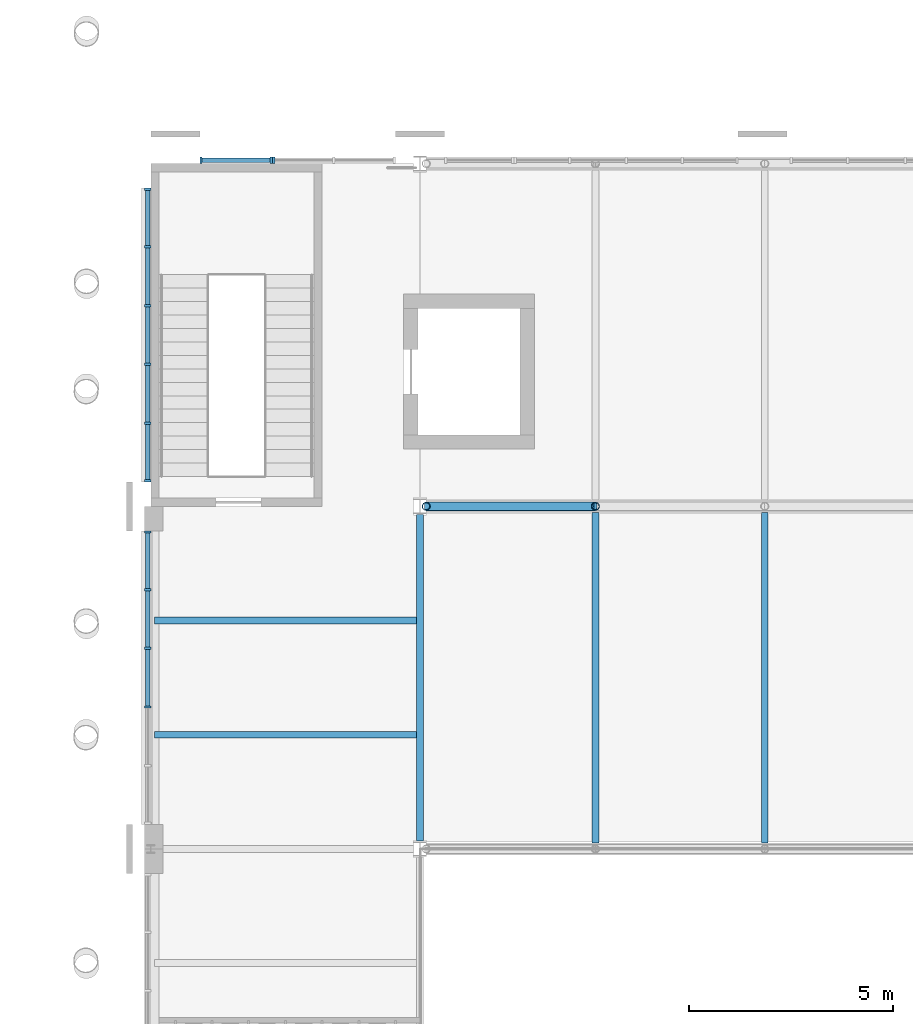
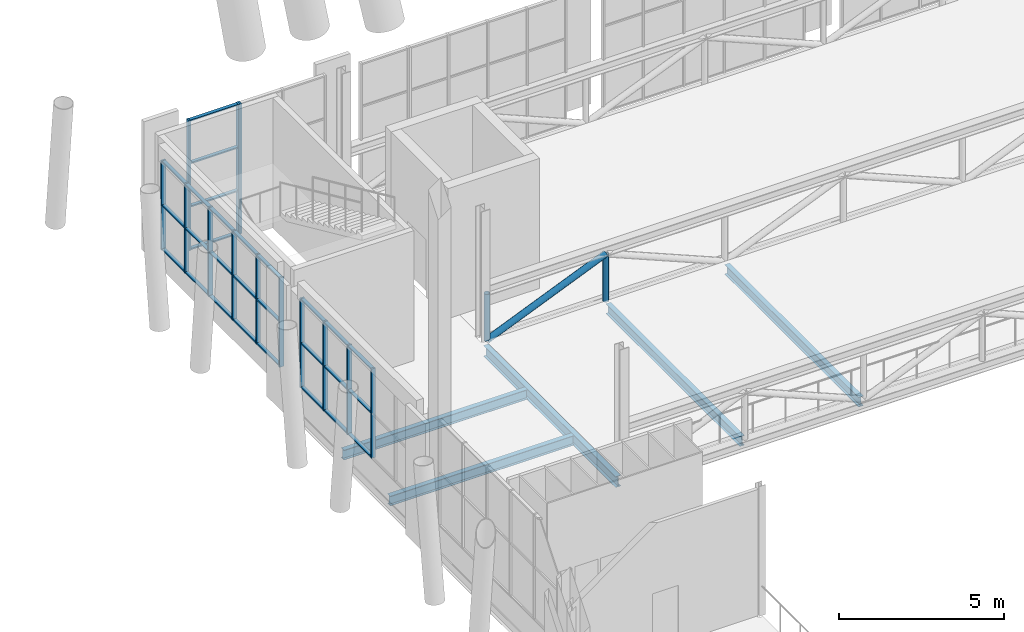
# One storey, part 31 of 76: 44 members, 5 beams, 4 elements without a shape of their own.
"""IFC4 building model written with IfcOpenShell, lengths in metres."""

from ifc_helpers import new_model, si_unit, direction, frame, origin, origin_2d, place, context, subcontext, project, spatial, rectangle, hollow_circle, i_section, extrude, material, material_profile, profile_set, type_object, element, aggregate, save


model = new_model("IFC4")

# Units and contexts
model_context = context("Model", 3, precision=1e-05, world=origin(), true_north=direction((0.0, 1.0)))
body_context = subcontext(model_context, "Body", "Model", "MODEL_VIEW")
ifc_project = project(units=[si_unit("LENGTHUNIT", "METRE"), si_unit("AREAUNIT", "SQUARE_METRE"), si_unit("VOLUMEUNIT", "CUBIC_METRE"), si_unit("PLANEANGLEUNIT", "RADIAN"), si_unit("MASSUNIT", "GRAM", prefix="KILO")], contexts=[model_context])

# Site, building, storey
site_placement = place(None, origin())
site = spatial("IfcSite", under=ifc_project, at=site_placement, CompositionType="ELEMENT")
building_placement = place(site_placement, origin())
building = spatial("IfcBuilding", under=site, at=building_placement, Name="Sava Quay Ferry Terminal", CompositionType="ELEMENT")
storey_placement = place(building_placement, frame((0.0, 0.0, 6.0)))
storey = spatial("IfcBuildingStorey", under=building, at=storey_placement, Name="L01", CompositionType="ELEMENT", Elevation=6.0)

# Beams
ifc_material_1 = material(Name="Steel S355", Category="steel")
ifc_material_profile_1 = material_profile(ifc_material_1, i_section(OverallWidth=0.169921875, OverallDepth=0.360107421875, WebThickness=0.008056640625, FlangeThickness=0.0126953125, at=origin_2d()), Name="IPE 360")
ifc_profile_set_1 = profile_set([ifc_material_profile_1], Name="Steel S355")
beam_type_1 = type_object("IfcBeamType", Name="Beam IPE 360", PredefinedType="BEAM", material=ifc_profile_set_1)
for number, where, z_axis, x_axis, name in (
    (1, (43.889892578125, 86.800048828125, -0.31005859375), (1.0, 0.0, 0.0), (0.0, 1.0, 0.0), "Secondary beam L01"),
    (2, (43.889892578125, 89.60009765625, -0.31005859375), (1.0, 0.0, 0.0), (0.0, 1.0, 0.0), "Secondary beam L01"),
):
    element("IfcBeam", number, at=place(storey_placement, frame(where, z_axis=z_axis, x_axis=x_axis)), inside=storey, type_object=beam_type_1, Name=name, PredefinedType="BEAM", context=body_context, shape_type="SweptSolid", body=[
        extrude(i_section(OverallWidth=0.169921875, OverallDepth=0.360107421875, WebThickness=0.008056640625, FlangeThickness=0.0126953125, at=origin_2d()), origin(), (0.0, 0.0, 1.0), 6.420166015625),
    ])
for number, where, z_axis, x_axis, name in (
    (3, (54.699951171875, 84.14990234375, -0.31005859375), (0.0, 1.0, 0.0), (-1.0, 0.0, 0.0), "Truss floor beam"),
    (4, (58.85009765625, 84.14990234375, -0.31005859375), (0.0, 1.0, 0.0), (-1.0, 0.0, 0.0), "Truss floor beam"),
):
    element("IfcBeam", number, at=place(storey_placement, frame(where, z_axis=z_axis, x_axis=x_axis)), inside=storey, type_object=beam_type_1, Name=name, PredefinedType="BEAM", context=body_context, shape_type="SweptSolid", body=[
        extrude(i_section(OverallWidth=0.169921875, OverallDepth=0.360107421875, WebThickness=0.008056640625, FlangeThickness=0.0126953125, at=origin_2d()), origin(), (0.0, 0.0, 1.0), 8.10009765625),
    ])
ifc_material_2 = material(Name="Steel S355", Category="steel")
ifc_material_profile_2 = material_profile(ifc_material_2, i_section(OverallWidth=0.179931640625, OverallDepth=0.39990234375, WebThickness=0.008544921875, FlangeThickness=0.013427734375, at=origin_2d()), Name="IPE 400")
ifc_profile_set_2 = profile_set([ifc_material_profile_2], Name="Steel S355")
beam_type_2 = type_object("IfcBeamType", Name="Beam IPE 400", PredefinedType="BEAM", material=ifc_profile_set_2)
beam_placement = place(storey_placement, frame((50.39990234375, 84.199951171875, -0.330078125), z_axis=(0.0, 1.0, 0.0), x_axis=(-1.0, 0.0, 0.0)))
element("IfcBeam", 5, at=beam_placement, inside=storey, type_object=beam_type_2, Name="Girder L01", PredefinedType="BEAM", context=body_context, shape_type="SweptSolid", body=[
    extrude(i_section(OverallWidth=0.179931640625, OverallDepth=0.39990234375, WebThickness=0.008544921875, FlangeThickness=0.013427734375, at=origin_2d()), origin(), (0.0, 0.0, 1.0), 8.0),
])

# Members
ifc_material_3 = material(Name="Steel S355", Category="steel")
ifc_material_profile_3 = material_profile(ifc_material_3, hollow_circle(Radius=0.096923828125, WallThickness=0.008056640625, at=origin_2d()), Name="CHS 193.7 x 8")
ifc_profile_set_3 = profile_set([ifc_material_profile_3], Name="Steel S355")
member_type_1 = type_object("IfcMemberType", Name="Brace CHS 193.7 x 8", PredefinedType="BRACE", material=ifc_profile_set_3)
for number, where, z_axis, x_axis, name in (
    (6, (50.550048828125, 92.39990234375, -0.1298828125), (0.0, 0.0, 1.0), (1.0, 0.0, 0.0), "Truss post 92.4"),
    (7, (54.699951171875, 92.39990234375, -0.1298828125), (0.0, 0.0, 1.0), (1.0, 0.0, 0.0), "Truss post 92.4"),
):
    element("IfcMember", number, at=place(storey_placement, frame(where, z_axis=z_axis, x_axis=x_axis)), inside=storey, type_object=member_type_1, Name=name, PredefinedType="BRACE", context=body_context, shape_type="SweptSolid", body=[
        extrude(hollow_circle(Radius=0.096923828125, WallThickness=0.008056640625, at=origin_2d()), origin(), (0.0, 0.0, 1.0), 1.739990234375),
    ])
ifc_material_4 = material(Name="Steel S355", Category="steel")
ifc_material_profile_4 = material_profile(ifc_material_4, hollow_circle(Radius=0.109619140625, WallThickness=0.010009765625, at=origin_2d()), Name="CHS 219.1 x 10")
ifc_profile_set_4 = profile_set([ifc_material_profile_4], Name="Steel S355")
member_type_2 = type_object("IfcMemberType", Name="Brace CHS 219.1 x 10", PredefinedType="BRACE", material=ifc_profile_set_4)
member_1_placement = place(storey_placement, frame((50.550048828125, 92.39990234375, -0.1298828125), z_axis=(0.922217474343, 0.0, 0.386671604874), x_axis=(0.0, 1.0, 0.0)))
element("IfcMember", 8, at=member_1_placement, inside=storey, type_object=member_type_2, Name="Truss diagonal 92.4", PredefinedType="BRACE", context=body_context, shape_type="SweptSolid", body=[
    extrude(hollow_circle(Radius=0.109619140625, WallThickness=0.010009765625, at=origin_2d()), origin(), (0.0, 0.0, 1.0), 4.5),
])

# Curtain wall, members
ifc_material_5 = material(Name="Aluminium and glass curtain wall, double low-e glazed", Category="aluminium")
curtain_wall_type_1 = type_object("IfcCurtainWallType", Name="Curtain wall CW-G gable", PredefinedType="NOTDEFINED", material=ifc_material_5)
curtain_wall_1_placement = place(storey_placement, origin())
curtain_wall_1 = element("IfcCurtainWall", 9, at=curtain_wall_1_placement, inside=storey, type_object=curtain_wall_type_1, Name="Curtain wall D-N L01 bay 1", PredefinedType="NOTDEFINED")
ifc_material_6 = material(Name="Aluminium EN AW-6063 T6", Category="aluminium")
ifc_material_profile_5 = material_profile(ifc_material_6, rectangle(XDim=0.14990234375, YDim=0.06005859375, at=origin_2d()), Name="Mullion 60x150 aluminium")
ifc_profile_set_5 = profile_set([ifc_material_profile_5], Name="Aluminium EN AW-6063 T6")
member_type_3 = type_object("IfcMemberType", Name="Mullion 60x150 aluminium", PredefinedType="MULLION", material=ifc_profile_set_5)
member_2_placement = place(storey_placement, frame((45.030029296875, 100.885009765625, 0.0), z_axis=(0.0, 0.0, 1.0), x_axis=(0.0, 1.0, 0.0)))
member_2 = element("IfcMember", 10, at=member_2_placement, type_object=member_type_3, Name="CW55 mullion 1", PredefinedType="MULLION", context=body_context, shape_type="SweptSolid", body=[
    extrude(rectangle(XDim=0.14990234375, YDim=0.06005859375, at=origin_2d()), origin(), (0.0, 0.0, 1.0), 4.800048828125),
])
member_3_placement = place(storey_placement, frame((46.75, 100.885009765625, 0.0), z_axis=(0.0, 0.0, 1.0), x_axis=(0.0, 1.0, 0.0)))
member_3 = element("IfcMember", 11, at=member_3_placement, type_object=member_type_3, Name="CW55 mullion 2", PredefinedType="MULLION", context=body_context, shape_type="SweptSolid", body=[
    extrude(rectangle(XDim=0.14990234375, YDim=0.06005859375, at=origin_2d()), origin(), (0.0, 0.0, 1.0), 4.800048828125),
])

# Curtain wall, member
curtain_wall_2_placement = place(storey_placement, origin())
curtain_wall_2 = element("IfcCurtainWall", 12, at=curtain_wall_2_placement, inside=storey, type_object=curtain_wall_type_1, Name="Curtain wall D-N L01 bay 11", PredefinedType="NOTDEFINED")
member_4_placement = place(storey_placement, frame((46.81005859375, 100.885009765625, 0.0), z_axis=(0.0, 0.0, 1.0), x_axis=(0.0, 1.0, 0.0)))
member_4 = element("IfcMember", 13, at=member_4_placement, type_object=member_type_3, Name="CW58 mullion 1", PredefinedType="MULLION", context=body_context, shape_type="SweptSolid", body=[
    extrude(rectangle(XDim=0.14990234375, YDim=0.06005859375, at=origin_2d()), origin(), (0.0, 0.0, 1.0), 4.800048828125),
])
aggregate(curtain_wall_2, [member_4])

# Curtain wall, members
ifc_material_7 = material(Name="Aluminium and glass curtain wall, double low-e glazed", Category="aluminium")
curtain_wall_type_2 = type_object("IfcCurtainWallType", Name="Curtain wall CW-F flank", PredefinedType="NOTDEFINED", material=ifc_material_7)
curtain_wall_3_placement = place(storey_placement, origin())
curtain_wall_3 = element("IfcCurtainWall", 14, at=curtain_wall_3_placement, inside=storey, type_object=curtain_wall_type_2, Name="Curtain wall D-W L01 bay 5", PredefinedType="NOTDEFINED")
member_5_placement = place(storey_placement, frame((43.72509765625, 87.47998046875, 0.89990234375), z_axis=(0.0, 0.0, 1.0), x_axis=(-1.0, 0.0, 0.0)))
member_5 = element("IfcMember", 15, at=member_5_placement, type_object=member_type_3, Name="CW111 mullion 3", PredefinedType="MULLION", context=body_context, shape_type="SweptSolid", body=[
    extrude(rectangle(XDim=0.14990234375, YDim=0.06005859375, at=origin_2d()), origin(), (0.0, 0.0, 1.0), 3.300048828125),
])
member_6_placement = place(storey_placement, frame((43.72509765625, 88.919921875, 0.89990234375), z_axis=(0.0, 0.0, 1.0), x_axis=(-1.0, 0.0, 0.0)))
member_6 = element("IfcMember", 16, at=member_6_placement, type_object=member_type_3, Name="CW111 mullion 4", PredefinedType="MULLION", context=body_context, shape_type="SweptSolid", body=[
    extrude(rectangle(XDim=0.14990234375, YDim=0.06005859375, at=origin_2d()), origin(), (0.0, 0.0, 1.0), 3.300048828125),
])
member_7_placement = place(storey_placement, frame((43.72509765625, 90.360107421875, 0.89990234375), z_axis=(0.0, 0.0, 1.0), x_axis=(-1.0, 0.0, 0.0)))
member_7 = element("IfcMember", 17, at=member_7_placement, type_object=member_type_3, Name="CW111 mullion 5", PredefinedType="MULLION", context=body_context, shape_type="SweptSolid", body=[
    extrude(rectangle(XDim=0.14990234375, YDim=0.06005859375, at=origin_2d()), origin(), (0.0, 0.0, 1.0), 3.300048828125),
])
member_8_placement = place(storey_placement, frame((43.72509765625, 91.77001953125, 0.89990234375), z_axis=(0.0, 0.0, 1.0), x_axis=(-1.0, 0.0, 0.0)))
member_8 = element("IfcMember", 18, at=member_8_placement, type_object=member_type_3, Name="CW111 mullion 6", PredefinedType="MULLION", context=body_context, shape_type="SweptSolid", body=[
    extrude(rectangle(XDim=0.14990234375, YDim=0.06005859375, at=origin_2d()), origin(), (0.0, 0.0, 1.0), 3.300048828125),
])

curtain_wall_4_placement = place(storey_placement, origin())
curtain_wall_4 = element("IfcCurtainWall", 19, at=curtain_wall_4_placement, inside=storey, type_object=curtain_wall_type_2, Name="Curtain wall D-W L01 bay 6", PredefinedType="NOTDEFINED")
member_9_placement = place(storey_placement, frame((43.72509765625, 93.030029296875, 0.89990234375), z_axis=(0.0, 0.0, 1.0), x_axis=(-1.0, 0.0, 0.0)))
member_9 = element("IfcMember", 20, at=member_9_placement, type_object=member_type_3, Name="CW112 mullion 1", PredefinedType="MULLION", context=body_context, shape_type="SweptSolid", body=[
    extrude(rectangle(XDim=0.14990234375, YDim=0.06005859375, at=origin_2d()), origin(), (0.0, 0.0, 1.0), 3.300048828125),
])
member_10_placement = place(storey_placement, frame((43.72509765625, 94.43994140625, 0.89990234375), z_axis=(0.0, 0.0, 1.0), x_axis=(-1.0, 0.0, 0.0)))
member_10 = element("IfcMember", 21, at=member_10_placement, type_object=member_type_3, Name="CW112 mullion 2", PredefinedType="MULLION", context=body_context, shape_type="SweptSolid", body=[
    extrude(rectangle(XDim=0.14990234375, YDim=0.06005859375, at=origin_2d()), origin(), (0.0, 0.0, 1.0), 3.300048828125),
])
member_11_placement = place(storey_placement, frame((43.72509765625, 95.8798828125, 0.89990234375), z_axis=(0.0, 0.0, 1.0), x_axis=(-1.0, 0.0, 0.0)))
member_11 = element("IfcMember", 22, at=member_11_placement, type_object=member_type_3, Name="CW112 mullion 3", PredefinedType="MULLION", context=body_context, shape_type="SweptSolid", body=[
    extrude(rectangle(XDim=0.14990234375, YDim=0.06005859375, at=origin_2d()), origin(), (0.0, 0.0, 1.0), 3.300048828125),
])
member_12_placement = place(storey_placement, frame((43.72509765625, 97.320068359375, 0.89990234375), z_axis=(0.0, 0.0, 1.0), x_axis=(-1.0, 0.0, 0.0)))
member_12 = element("IfcMember", 23, at=member_12_placement, type_object=member_type_3, Name="CW112 mullion 4", PredefinedType="MULLION", context=body_context, shape_type="SweptSolid", body=[
    extrude(rectangle(XDim=0.14990234375, YDim=0.06005859375, at=origin_2d()), origin(), (0.0, 0.0, 1.0), 3.300048828125),
])
member_13_placement = place(storey_placement, frame((43.72509765625, 98.760009765625, 0.89990234375), z_axis=(0.0, 0.0, 1.0), x_axis=(-1.0, 0.0, 0.0)))
member_13 = element("IfcMember", 24, at=member_13_placement, type_object=member_type_3, Name="CW112 mullion 5", PredefinedType="MULLION", context=body_context, shape_type="SweptSolid", body=[
    extrude(rectangle(XDim=0.14990234375, YDim=0.06005859375, at=origin_2d()), origin(), (0.0, 0.0, 1.0), 3.300048828125),
])
member_14_placement = place(storey_placement, frame((43.72509765625, 100.169921875, 0.89990234375), z_axis=(0.0, 0.0, 1.0), x_axis=(-1.0, 0.0, 0.0)))
member_14 = element("IfcMember", 25, at=member_14_placement, type_object=member_type_3, Name="CW112 mullion 6", PredefinedType="MULLION", context=body_context, shape_type="SweptSolid", body=[
    extrude(rectangle(XDim=0.14990234375, YDim=0.06005859375, at=origin_2d()), origin(), (0.0, 0.0, 1.0), 3.300048828125),
])

# Member
ifc_material_8 = material(Name="Aluminium EN AW-6063 T6", Category="aluminium")
ifc_material_profile_6 = material_profile(ifc_material_8, rectangle(XDim=0.1201171875, YDim=0.050048828125, at=origin_2d()), Name="Transom 50x120 aluminium")
ifc_profile_set_6 = profile_set([ifc_material_profile_6], Name="Aluminium EN AW-6063 T6")
member_type_4 = type_object("IfcMemberType", Name="Transom 50x120 aluminium", PredefinedType="USERDEFINED", material=ifc_profile_set_6)
member_15_placement = place(storey_placement, frame((45.06005859375, 100.885009765625, 0.02490234375), z_axis=(1.0, 0.0, 0.0), x_axis=(0.0, 1.0, 0.0)))
member_15 = element("IfcMember", 26, at=member_15_placement, type_object=member_type_4, Name="CW55 transom 1.1", ObjectType="TRANSOM", PredefinedType="USERDEFINED", context=body_context, shape_type="SweptSolid", body=[
    extrude(rectangle(XDim=0.1201171875, YDim=0.050048828125, at=origin_2d()), origin(), (0.0, 0.0, 1.0), 1.659912109375),
])

member_16_placement = place(storey_placement, frame((45.06005859375, 100.885009765625, 1.60009765625), z_axis=(1.0, 0.0, 0.0), x_axis=(0.0, 1.0, 0.0)))
member_16 = element("IfcMember", 27, at=member_16_placement, type_object=member_type_4, Name="CW55 transom 1.2", ObjectType="TRANSOM", PredefinedType="USERDEFINED", context=body_context, shape_type="SweptSolid", body=[
    extrude(rectangle(XDim=0.1201171875, YDim=0.050048828125, at=origin_2d()), origin(), (0.0, 0.0, 1.0), 1.659912109375),
])

member_17_placement = place(storey_placement, frame((45.06005859375, 100.885009765625, 3.199951171875), z_axis=(1.0, 0.0, 0.0), x_axis=(0.0, 1.0, 0.0)))
member_17 = element("IfcMember", 28, at=member_17_placement, type_object=member_type_4, Name="CW55 transom 1.3", ObjectType="TRANSOM", PredefinedType="USERDEFINED", context=body_context, shape_type="SweptSolid", body=[
    extrude(rectangle(XDim=0.1201171875, YDim=0.050048828125, at=origin_2d()), origin(), (0.0, 0.0, 1.0), 1.659912109375),
])

member_18_placement = place(storey_placement, frame((45.06005859375, 100.885009765625, 4.77490234375), z_axis=(1.0, 0.0, 0.0), x_axis=(0.0, 1.0, 0.0)))
member_18 = element("IfcMember", 29, at=member_18_placement, type_object=member_type_4, Name="CW55 transom 1.4", ObjectType="TRANSOM", PredefinedType="USERDEFINED", context=body_context, shape_type="SweptSolid", body=[
    extrude(rectangle(XDim=0.1201171875, YDim=0.050048828125, at=origin_2d()), origin(), (0.0, 0.0, 1.0), 1.659912109375),
])

aggregate(curtain_wall_1, [member_2, member_3, member_15, member_16, member_17, member_18])

member_19_placement = place(storey_placement, frame((43.72509765625, 87.510009765625, 0.925048828125), z_axis=(0.0, 1.0, 0.0), x_axis=(-1.0, 0.0, 0.0)))
member_19 = element("IfcMember", 30, at=member_19_placement, type_object=member_type_4, Name="CW111 transom 3.1", ObjectType="TRANSOM", PredefinedType="USERDEFINED", context=body_context, shape_type="SweptSolid", body=[
    extrude(rectangle(XDim=0.1201171875, YDim=0.050048828125, at=origin_2d()), origin(), (0.0, 0.0, 1.0), 1.3798828125),
])

member_20_placement = place(storey_placement, frame((43.72509765625, 87.510009765625, 2.550048828125), z_axis=(0.0, 1.0, 0.0), x_axis=(-1.0, 0.0, 0.0)))
member_20 = element("IfcMember", 31, at=member_20_placement, type_object=member_type_4, Name="CW111 transom 3.2", ObjectType="TRANSOM", PredefinedType="USERDEFINED", context=body_context, shape_type="SweptSolid", body=[
    extrude(rectangle(XDim=0.1201171875, YDim=0.050048828125, at=origin_2d()), origin(), (0.0, 0.0, 1.0), 1.3798828125),
])

member_21_placement = place(storey_placement, frame((43.72509765625, 87.510009765625, 4.175048828125), z_axis=(0.0, 1.0, 0.0), x_axis=(-1.0, 0.0, 0.0)))
member_21 = element("IfcMember", 32, at=member_21_placement, type_object=member_type_4, Name="CW111 transom 3.3", ObjectType="TRANSOM", PredefinedType="USERDEFINED", context=body_context, shape_type="SweptSolid", body=[
    extrude(rectangle(XDim=0.1201171875, YDim=0.050048828125, at=origin_2d()), origin(), (0.0, 0.0, 1.0), 1.3798828125),
])

member_22_placement = place(storey_placement, frame((43.72509765625, 88.949951171875, 0.925048828125), z_axis=(0.0, 1.0, 0.0), x_axis=(-1.0, 0.0, 0.0)))
member_22 = element("IfcMember", 33, at=member_22_placement, type_object=member_type_4, Name="CW111 transom 4.1", ObjectType="TRANSOM", PredefinedType="USERDEFINED", context=body_context, shape_type="SweptSolid", body=[
    extrude(rectangle(XDim=0.1201171875, YDim=0.050048828125, at=origin_2d()), origin(), (0.0, 0.0, 1.0), 1.380126953125),
])

member_23_placement = place(storey_placement, frame((43.72509765625, 88.949951171875, 2.550048828125), z_axis=(0.0, 1.0, 0.0), x_axis=(-1.0, 0.0, 0.0)))
member_23 = element("IfcMember", 34, at=member_23_placement, type_object=member_type_4, Name="CW111 transom 4.2", ObjectType="TRANSOM", PredefinedType="USERDEFINED", context=body_context, shape_type="SweptSolid", body=[
    extrude(rectangle(XDim=0.1201171875, YDim=0.050048828125, at=origin_2d()), origin(), (0.0, 0.0, 1.0), 1.380126953125),
])

member_24_placement = place(storey_placement, frame((43.72509765625, 88.949951171875, 4.175048828125), z_axis=(0.0, 1.0, 0.0), x_axis=(-1.0, 0.0, 0.0)))
member_24 = element("IfcMember", 35, at=member_24_placement, type_object=member_type_4, Name="CW111 transom 4.3", ObjectType="TRANSOM", PredefinedType="USERDEFINED", context=body_context, shape_type="SweptSolid", body=[
    extrude(rectangle(XDim=0.1201171875, YDim=0.050048828125, at=origin_2d()), origin(), (0.0, 0.0, 1.0), 1.380126953125),
])

member_25_placement = place(storey_placement, frame((43.72509765625, 90.389892578125, 0.925048828125), z_axis=(0.0, 1.0, 0.0), x_axis=(-1.0, 0.0, 0.0)))
member_25 = element("IfcMember", 36, at=member_25_placement, type_object=member_type_4, Name="CW111 transom 5.1", ObjectType="TRANSOM", PredefinedType="USERDEFINED", context=body_context, shape_type="SweptSolid", body=[
    extrude(rectangle(XDim=0.1201171875, YDim=0.050048828125, at=origin_2d()), origin(), (0.0, 0.0, 1.0), 1.35009765625),
])

member_26_placement = place(storey_placement, frame((43.72509765625, 90.389892578125, 2.550048828125), z_axis=(0.0, 1.0, 0.0), x_axis=(-1.0, 0.0, 0.0)))
member_26 = element("IfcMember", 37, at=member_26_placement, type_object=member_type_4, Name="CW111 transom 5.2", ObjectType="TRANSOM", PredefinedType="USERDEFINED", context=body_context, shape_type="SweptSolid", body=[
    extrude(rectangle(XDim=0.1201171875, YDim=0.050048828125, at=origin_2d()), origin(), (0.0, 0.0, 1.0), 1.35009765625),
])

member_27_placement = place(storey_placement, frame((43.72509765625, 90.389892578125, 4.175048828125), z_axis=(0.0, 1.0, 0.0), x_axis=(-1.0, 0.0, 0.0)))
member_27 = element("IfcMember", 38, at=member_27_placement, type_object=member_type_4, Name="CW111 transom 5.3", ObjectType="TRANSOM", PredefinedType="USERDEFINED", context=body_context, shape_type="SweptSolid", body=[
    extrude(rectangle(XDim=0.1201171875, YDim=0.050048828125, at=origin_2d()), origin(), (0.0, 0.0, 1.0), 1.35009765625),
])

aggregate(curtain_wall_3, [member_5, member_6, member_7, member_8, member_19, member_20, member_21, member_22, member_23, member_24, member_25, member_26, member_27])

member_28_placement = place(storey_placement, frame((43.72509765625, 93.06005859375, 0.925048828125), z_axis=(0.0, 1.0, 0.0), x_axis=(-1.0, 0.0, 0.0)))
member_28 = element("IfcMember", 39, at=member_28_placement, type_object=member_type_4, Name="CW112 transom 1.1", ObjectType="TRANSOM", PredefinedType="USERDEFINED", context=body_context, shape_type="SweptSolid", body=[
    extrude(rectangle(XDim=0.1201171875, YDim=0.050048828125, at=origin_2d()), origin(), (0.0, 0.0, 1.0), 1.349853515625),
])

member_29_placement = place(storey_placement, frame((43.72509765625, 93.06005859375, 2.550048828125), z_axis=(0.0, 1.0, 0.0), x_axis=(-1.0, 0.0, 0.0)))
member_29 = element("IfcMember", 40, at=member_29_placement, type_object=member_type_4, Name="CW112 transom 1.2", ObjectType="TRANSOM", PredefinedType="USERDEFINED", context=body_context, shape_type="SweptSolid", body=[
    extrude(rectangle(XDim=0.1201171875, YDim=0.050048828125, at=origin_2d()), origin(), (0.0, 0.0, 1.0), 1.349853515625),
])

member_30_placement = place(storey_placement, frame((43.72509765625, 93.06005859375, 4.175048828125), z_axis=(0.0, 1.0, 0.0), x_axis=(-1.0, 0.0, 0.0)))
member_30 = element("IfcMember", 41, at=member_30_placement, type_object=member_type_4, Name="CW112 transom 1.3", ObjectType="TRANSOM", PredefinedType="USERDEFINED", context=body_context, shape_type="SweptSolid", body=[
    extrude(rectangle(XDim=0.1201171875, YDim=0.050048828125, at=origin_2d()), origin(), (0.0, 0.0, 1.0), 1.349853515625),
])

member_31_placement = place(storey_placement, frame((43.72509765625, 94.469970703125, 0.925048828125), z_axis=(0.0, 1.0, 0.0), x_axis=(-1.0, 0.0, 0.0)))
member_31 = element("IfcMember", 42, at=member_31_placement, type_object=member_type_4, Name="CW112 transom 2.1", ObjectType="TRANSOM", PredefinedType="USERDEFINED", context=body_context, shape_type="SweptSolid", body=[
    extrude(rectangle(XDim=0.1201171875, YDim=0.050048828125, at=origin_2d()), origin(), (0.0, 0.0, 1.0), 1.380126953125),
])

member_32_placement = place(storey_placement, frame((43.72509765625, 94.469970703125, 2.550048828125), z_axis=(0.0, 1.0, 0.0), x_axis=(-1.0, 0.0, 0.0)))
member_32 = element("IfcMember", 43, at=member_32_placement, type_object=member_type_4, Name="CW112 transom 2.2", ObjectType="TRANSOM", PredefinedType="USERDEFINED", context=body_context, shape_type="SweptSolid", body=[
    extrude(rectangle(XDim=0.1201171875, YDim=0.050048828125, at=origin_2d()), origin(), (0.0, 0.0, 1.0), 1.380126953125),
])

member_33_placement = place(storey_placement, frame((43.72509765625, 94.469970703125, 4.175048828125), z_axis=(0.0, 1.0, 0.0), x_axis=(-1.0, 0.0, 0.0)))
member_33 = element("IfcMember", 44, at=member_33_placement, type_object=member_type_4, Name="CW112 transom 2.3", ObjectType="TRANSOM", PredefinedType="USERDEFINED", context=body_context, shape_type="SweptSolid", body=[
    extrude(rectangle(XDim=0.1201171875, YDim=0.050048828125, at=origin_2d()), origin(), (0.0, 0.0, 1.0), 1.380126953125),
])

member_34_placement = place(storey_placement, frame((43.72509765625, 95.909912109375, 0.925048828125), z_axis=(0.0, 1.0, 0.0), x_axis=(-1.0, 0.0, 0.0)))
member_34 = element("IfcMember", 45, at=member_34_placement, type_object=member_type_4, Name="CW112 transom 3.1", ObjectType="TRANSOM", PredefinedType="USERDEFINED", context=body_context, shape_type="SweptSolid", body=[
    extrude(rectangle(XDim=0.1201171875, YDim=0.050048828125, at=origin_2d()), origin(), (0.0, 0.0, 1.0), 1.380126953125),
])

member_35_placement = place(storey_placement, frame((43.72509765625, 95.909912109375, 2.550048828125), z_axis=(0.0, 1.0, 0.0), x_axis=(-1.0, 0.0, 0.0)))
member_35 = element("IfcMember", 46, at=member_35_placement, type_object=member_type_4, Name="CW112 transom 3.2", ObjectType="TRANSOM", PredefinedType="USERDEFINED", context=body_context, shape_type="SweptSolid", body=[
    extrude(rectangle(XDim=0.1201171875, YDim=0.050048828125, at=origin_2d()), origin(), (0.0, 0.0, 1.0), 1.380126953125),
])

member_36_placement = place(storey_placement, frame((43.72509765625, 95.909912109375, 4.175048828125), z_axis=(0.0, 1.0, 0.0), x_axis=(-1.0, 0.0, 0.0)))
member_36 = element("IfcMember", 47, at=member_36_placement, type_object=member_type_4, Name="CW112 transom 3.3", ObjectType="TRANSOM", PredefinedType="USERDEFINED", context=body_context, shape_type="SweptSolid", body=[
    extrude(rectangle(XDim=0.1201171875, YDim=0.050048828125, at=origin_2d()), origin(), (0.0, 0.0, 1.0), 1.380126953125),
])

member_37_placement = place(storey_placement, frame((43.72509765625, 97.35009765625, 0.925048828125), z_axis=(0.0, 1.0, 0.0), x_axis=(-1.0, 0.0, 0.0)))
member_37 = element("IfcMember", 48, at=member_37_placement, type_object=member_type_4, Name="CW112 transom 4.1", ObjectType="TRANSOM", PredefinedType="USERDEFINED", context=body_context, shape_type="SweptSolid", body=[
    extrude(rectangle(XDim=0.1201171875, YDim=0.050048828125, at=origin_2d()), origin(), (0.0, 0.0, 1.0), 1.3798828125),
])

member_38_placement = place(storey_placement, frame((43.72509765625, 97.35009765625, 2.550048828125), z_axis=(0.0, 1.0, 0.0), x_axis=(-1.0, 0.0, 0.0)))
member_38 = element("IfcMember", 49, at=member_38_placement, type_object=member_type_4, Name="CW112 transom 4.2", ObjectType="TRANSOM", PredefinedType="USERDEFINED", context=body_context, shape_type="SweptSolid", body=[
    extrude(rectangle(XDim=0.1201171875, YDim=0.050048828125, at=origin_2d()), origin(), (0.0, 0.0, 1.0), 1.3798828125),
])

member_39_placement = place(storey_placement, frame((43.72509765625, 97.35009765625, 4.175048828125), z_axis=(0.0, 1.0, 0.0), x_axis=(-1.0, 0.0, 0.0)))
member_39 = element("IfcMember", 50, at=member_39_placement, type_object=member_type_4, Name="CW112 transom 4.3", ObjectType="TRANSOM", PredefinedType="USERDEFINED", context=body_context, shape_type="SweptSolid", body=[
    extrude(rectangle(XDim=0.1201171875, YDim=0.050048828125, at=origin_2d()), origin(), (0.0, 0.0, 1.0), 1.3798828125),
])

member_40_placement = place(storey_placement, frame((43.72509765625, 98.7900390625, 0.925048828125), z_axis=(0.0, 1.0, 0.0), x_axis=(-1.0, 0.0, 0.0)))
member_40 = element("IfcMember", 51, at=member_40_placement, type_object=member_type_4, Name="CW112 transom 5.1", ObjectType="TRANSOM", PredefinedType="USERDEFINED", context=body_context, shape_type="SweptSolid", body=[
    extrude(rectangle(XDim=0.1201171875, YDim=0.050048828125, at=origin_2d()), origin(), (0.0, 0.0, 1.0), 1.349853515625),
])

member_41_placement = place(storey_placement, frame((43.72509765625, 98.7900390625, 2.550048828125), z_axis=(0.0, 1.0, 0.0), x_axis=(-1.0, 0.0, 0.0)))
member_41 = element("IfcMember", 52, at=member_41_placement, type_object=member_type_4, Name="CW112 transom 5.2", ObjectType="TRANSOM", PredefinedType="USERDEFINED", context=body_context, shape_type="SweptSolid", body=[
    extrude(rectangle(XDim=0.1201171875, YDim=0.050048828125, at=origin_2d()), origin(), (0.0, 0.0, 1.0), 1.349853515625),
])

member_42_placement = place(storey_placement, frame((43.72509765625, 98.7900390625, 4.175048828125), z_axis=(0.0, 1.0, 0.0), x_axis=(-1.0, 0.0, 0.0)))
member_42 = element("IfcMember", 53, at=member_42_placement, type_object=member_type_4, Name="CW112 transom 5.3", ObjectType="TRANSOM", PredefinedType="USERDEFINED", context=body_context, shape_type="SweptSolid", body=[
    extrude(rectangle(XDim=0.1201171875, YDim=0.050048828125, at=origin_2d()), origin(), (0.0, 0.0, 1.0), 1.349853515625),
])

aggregate(curtain_wall_4, [member_9, member_10, member_11, member_12, member_13, member_14, member_28, member_29, member_30, member_31, member_32, member_33, member_34, member_35, member_36, member_37, member_38, member_39, member_40, member_41, member_42])

save(model, "model.ifc")
